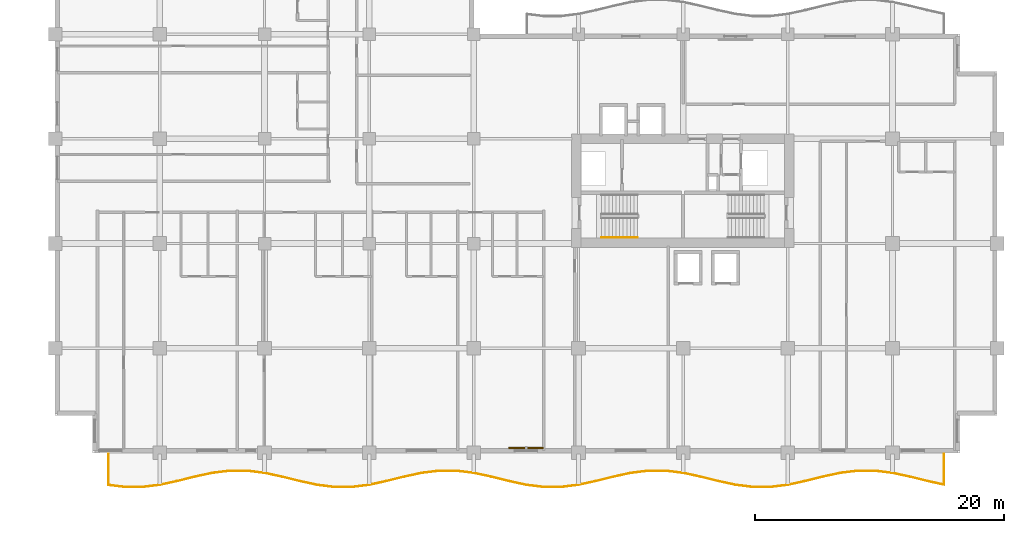
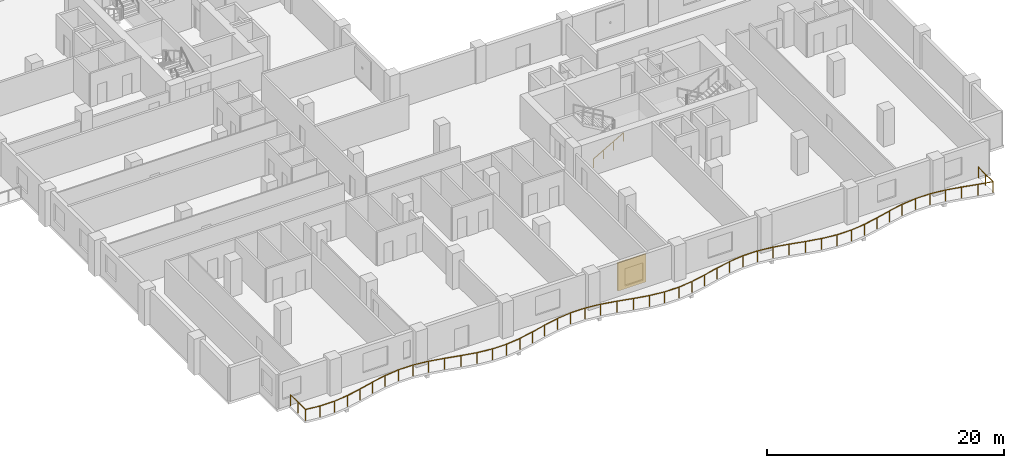
# One storey, part 13 of 16: 2 railings, 1 shading device.
"""IFC4 building model written with IfcOpenShell, lengths in metres."""

from ifc_helpers import new_model, si_unit, direction, frame, origin, origin_2d, place, context, subcontext, project, spatial, rectangle, circle, extrude, material, layer, layer_set, type_object, element, save


model = new_model("IFC4")

# Units and contexts
model_context = context("Model", 3, precision=1e-05, world=origin(), true_north=direction((0.0, 1.0)))
body_context = subcontext(model_context, "Body", "Model", "MODEL_VIEW")
ifc_project = project(units=[si_unit("LENGTHUNIT", "METRE"), si_unit("AREAUNIT", "SQUARE_METRE"), si_unit("VOLUMEUNIT", "CUBIC_METRE"), si_unit("PLANEANGLEUNIT", "RADIAN"), si_unit("MASSUNIT", "GRAM", prefix="KILO")], contexts=[model_context])

# Site, building, storey
site_placement = place(None, origin())
site = spatial("IfcSite", under=ifc_project, at=site_placement, CompositionType="ELEMENT")
building_placement = place(site_placement, origin())
building = spatial("IfcBuilding", under=site, at=building_placement, Name="Koriwani Terraces Tower", CompositionType="ELEMENT")
storey_placement = place(building_placement, frame((0.0, 0.0, 179.10009765625)))
storey = spatial("IfcBuildingStorey", under=building, at=storey_placement, Name="L43", CompositionType="ELEMENT", Elevation=179.10009765625)

# Railings
ifc_material_1 = material(Name="Steel ASTM A572 Grade 50", Category="steel")
railing_type_1 = type_object("IfcRailingType", Name="GUARD_BALUSTRADE_1150", PredefinedType="BALUSTRADE", material=ifc_material_1)
railing_1_placement = place(storey_placement, frame((4.280029296875, -0.080078125, 0.0)))
element("IfcRailing", 1, at=railing_1_placement, inside=storey, type_object=railing_type_1, Name="L43 Balcony Perimeter Safety Balustrade (S)", PredefinedType="BALUSTRADE", context=body_context, shape_type="SweptSolid", body=[
    extrude(circle(Radius=0.02392578125, at=origin_2d()), frame((0.0, 0.0, 1.1259765625), z_axis=(0.0, -1.0, 0.0), x_axis=(1.0, 0.0, 0.0)), (0.0, 0.0, 1.0), 2.501708984375),
    extrude(circle(Radius=0.02392578125, at=origin_2d()), frame((0.0, -2.501708984375, 1.1259765625), z_axis=(0.992308789115, -0.123787184491, 0.0), x_axis=(0.123787184491, 0.992308789115, 0.0)), (0.0, 0.0, 1.0), 1.335205078125),
    extrude(circle(Radius=0.02392578125, at=origin_2d()), frame((1.324951171875, -2.6669921875, 1.1259765625), z_axis=(1.0, 0.0, 0.0), x_axis=(0.0, 1.0, 0.0)), (0.0, 0.0, 1.0), 1.39013671875),
    extrude(circle(Radius=0.02392578125, at=origin_2d()), frame((2.715087890625, -2.6669921875, 1.1259765625), z_axis=(0.992309982997, 0.123777613669, 0.0), x_axis=(-0.123777613669, 0.992309982997, 0.0)), (0.0, 0.0, 1.0), 1.40234375),
    extrude(circle(Radius=0.02392578125, at=origin_2d()), frame((4.106689453125, -2.493408203125, 1.1259765625), z_axis=(0.977402706702, 0.211385782237, 0.0), x_axis=(-0.211385782237, 0.977402706702, 0.0)), (0.0, 0.0, 1.0), 1.427490234375),
    extrude(circle(Radius=0.02392578125, at=origin_2d()), frame((5.501953125, -2.191650390625, 1.1259765625), z_axis=(0.970241952903, 0.242137466795, 0.0), x_axis=(-0.242137466795, 0.970241952903, 0.0)), (0.0, 0.0, 1.0), 1.44287109375),
    extrude(circle(Radius=0.02392578125, at=origin_2d()), frame((6.90185546875, -1.84228515625, 1.1259765625), z_axis=(0.977453031353, 0.21115295759, 0.0), x_axis=(-0.21115295759, 0.977453031353, 0.0)), (0.0, 0.0, 1.0), 1.437255859375),
    extrude(circle(Radius=0.02392578125, at=origin_2d()), frame((8.306640625, -1.538818359375, 1.1259765625), z_axis=(0.992322798546, 0.123674829633, 0.0), x_axis=(-0.123674829633, 0.992322798546, 0.0)), (0.0, 0.0, 1.0), 1.41943359375),
    extrude(circle(Radius=0.02392578125, at=origin_2d()), frame((9.715087890625, -1.36328125, 1.1259765625), z_axis=(1.0, 0.0, 0.0), x_axis=(0.0, 1.0, 0.0)), (0.0, 0.0, 1.0), 1.409912109375),
    extrude(circle(Radius=0.02392578125, at=origin_2d()), frame((11.125, -1.36328125, 1.1259765625), z_axis=(0.992322798546, -0.123674829633, 0.0), x_axis=(0.123674829633, 0.992322798546, 0.0)), (0.0, 0.0, 1.0), 1.41943359375),
    extrude(circle(Radius=0.02392578125, at=origin_2d()), frame((12.533447265625, -1.538818359375, 1.1259765625), z_axis=(0.977445455552, -0.211188023857, 0.0), x_axis=(0.211188023857, 0.977445455552, 0.0)), (0.0, 0.0, 1.0), 1.43701171875),
    extrude(circle(Radius=0.02392578125, at=origin_2d()), frame((13.93798828125, -1.84228515625, 1.1259765625), z_axis=(0.970251871253, -0.242097720621, 0.0), x_axis=(0.242097720621, 0.970251871253, 0.0)), (0.0, 0.0, 1.0), 1.443115234375),
    extrude(circle(Radius=0.02392578125, at=origin_2d()), frame((15.338134765625, -2.191650390625, 1.1259765625), z_axis=(0.977402706702, -0.211385782237, 0.0), x_axis=(0.211385782237, 0.977402706702, 0.0)), (0.0, 0.0, 1.0), 1.427490234375),
    extrude(circle(Radius=0.02392578125, at=origin_2d()), frame((16.7333984375, -2.493408203125, 1.1259765625), z_axis=(0.992309982997, -0.123777613669, 0.0), x_axis=(0.123777613669, 0.992309982997, 0.0)), (0.0, 0.0, 1.0), 1.40234375),
    extrude(circle(Radius=0.02392578125, at=origin_2d()), frame((18.125, -2.6669921875, 1.1259765625), z_axis=(1.0, 0.0, 0.0), x_axis=(0.0, 1.0, 0.0)), (0.0, 0.0, 1.0), 1.389892578125),
    extrude(circle(Radius=0.02392578125, at=origin_2d()), frame((19.514892578125, -2.6669921875, 1.1259765625), z_axis=(0.992309982997, 0.123777613669, 0.0), x_axis=(-0.123777613669, 0.992309982997, 0.0)), (0.0, 0.0, 1.0), 1.40234375),
    extrude(circle(Radius=0.02392578125, at=origin_2d()), frame((20.906494140625, -2.493408203125, 1.1259765625), z_axis=(0.977402706702, 0.211385782237, 0.0), x_axis=(-0.211385782237, 0.977402706702, 0.0)), (0.0, 0.0, 1.0), 1.427490234375),
    extrude(circle(Radius=0.02392578125, at=origin_2d()), frame((22.3017578125, -2.191650390625, 1.1259765625), z_axis=(0.970251871253, 0.242097720621, 0.0), x_axis=(-0.242097720621, 0.970251871253, 0.0)), (0.0, 0.0, 1.0), 1.443115234375),
    extrude(circle(Radius=0.02392578125, at=origin_2d()), frame((23.701904296875, -1.84228515625, 1.1259765625), z_axis=(0.977453031353, 0.21115295759, 0.0), x_axis=(-0.21115295759, 0.977453031353, 0.0)), (0.0, 0.0, 1.0), 1.437255859375),
    extrude(circle(Radius=0.02392578125, at=origin_2d()), frame((25.106689453125, -1.538818359375, 1.1259765625), z_axis=(0.992320166908, 0.123695943136, 0.0), x_axis=(-0.123695943136, 0.992320166908, 0.0)), (0.0, 0.0, 1.0), 1.419189453125),
    extrude(circle(Radius=0.02392578125, at=origin_2d()), frame((26.514892578125, -1.36328125, 1.1259765625), z_axis=(1.0, 0.0, 0.0), x_axis=(0.0, 1.0, 0.0)), (0.0, 0.0, 1.0), 1.41015625),
    extrude(circle(Radius=0.02392578125, at=origin_2d()), frame((27.925048828125, -1.36328125, 1.1259765625), z_axis=(0.992320166908, -0.123695943136, 0.0), x_axis=(0.123695943136, 0.992320166908, 0.0)), (0.0, 0.0, 1.0), 1.419189453125),
    extrude(circle(Radius=0.02392578125, at=origin_2d()), frame((29.333251953125, -1.538818359375, 1.1259765625), z_axis=(0.977453031353, -0.21115295759, 0.0), x_axis=(0.21115295759, 0.977453031353, 0.0)), (0.0, 0.0, 1.0), 1.437255859375),
    extrude(circle(Radius=0.02392578125, at=origin_2d()), frame((30.738037109375, -1.84228515625, 1.1259765625), z_axis=(0.970251871253, -0.242097720621, 0.0), x_axis=(0.242097720621, 0.970251871253, 0.0)), (0.0, 0.0, 1.0), 1.443115234375),
    extrude(circle(Radius=0.02392578125, at=origin_2d()), frame((32.13818359375, -2.191650390625, 1.1259765625), z_axis=(0.977402706702, -0.211385782237, 0.0), x_axis=(0.211385782237, 0.977402706702, 0.0)), (0.0, 0.0, 1.0), 1.427490234375),
    extrude(circle(Radius=0.02392578125, at=origin_2d()), frame((33.533447265625, -2.493408203125, 1.1259765625), z_axis=(0.992309982997, -0.123777613669, 0.0), x_axis=(0.123777613669, 0.992309982997, 0.0)), (0.0, 0.0, 1.0), 1.40234375),
    extrude(circle(Radius=0.02392578125, at=origin_2d()), frame((34.925048828125, -2.6669921875, 1.1259765625), z_axis=(1.0, 0.0, 0.0), x_axis=(0.0, 1.0, 0.0)), (0.0, 0.0, 1.0), 1.389892578125),
    extrude(circle(Radius=0.02392578125, at=origin_2d()), frame((36.31494140625, -2.6669921875, 1.1259765625), z_axis=(0.992309982997, 0.123777613669, 0.0), x_axis=(-0.123777613669, 0.992309982997, 0.0)), (0.0, 0.0, 1.0), 1.40234375),
    extrude(circle(Radius=0.02392578125, at=origin_2d()), frame((37.70654296875, -2.493408203125, 1.1259765625), z_axis=(0.977402706702, 0.211385782237, 0.0), x_axis=(-0.211385782237, 0.977402706702, 0.0)), (0.0, 0.0, 1.0), 1.427490234375),
    extrude(circle(Radius=0.02392578125, at=origin_2d()), frame((39.101806640625, -2.191650390625, 1.1259765625), z_axis=(0.970251871253, 0.242097720621, 0.0), x_axis=(-0.242097720621, 0.970251871253, 0.0)), (0.0, 0.0, 1.0), 1.443115234375),
    extrude(circle(Radius=0.02392578125, at=origin_2d()), frame((40.501953125, -1.84228515625, 1.1259765625), z_axis=(0.977445455552, 0.211188023857, 0.0), x_axis=(-0.211188023857, 0.977445455552, 0.0)), (0.0, 0.0, 1.0), 1.43701171875),
    extrude(circle(Radius=0.02392578125, at=origin_2d()), frame((41.906494140625, -1.538818359375, 1.1259765625), z_axis=(0.992322798546, 0.123674829633, 0.0), x_axis=(-0.123674829633, 0.992322798546, 0.0)), (0.0, 0.0, 1.0), 1.41943359375),
    extrude(circle(Radius=0.02392578125, at=origin_2d()), frame((43.31494140625, -1.36328125, 1.1259765625), z_axis=(1.0, 0.0, 0.0), x_axis=(0.0, 1.0, 0.0)), (0.0, 0.0, 1.0), 1.409912109375),
    extrude(circle(Radius=0.02392578125, at=origin_2d()), frame((44.724853515625, -1.36328125, 1.1259765625), z_axis=(0.992322798546, -0.123674829633, 0.0), x_axis=(0.123674829633, 0.992322798546, 0.0)), (0.0, 0.0, 1.0), 1.41943359375),
    extrude(circle(Radius=0.02392578125, at=origin_2d()), frame((46.13330078125, -1.538818359375, 1.1259765625), z_axis=(0.977453031353, -0.21115295759, 0.0), x_axis=(0.21115295759, 0.977453031353, 0.0)), (0.0, 0.0, 1.0), 1.437255859375),
    extrude(circle(Radius=0.02392578125, at=origin_2d()), frame((47.5380859375, -1.84228515625, 1.1259765625), z_axis=(0.970241952903, -0.242137466795, 0.0), x_axis=(0.242137466795, 0.970241952903, 0.0)), (0.0, 0.0, 1.0), 1.44287109375),
    extrude(circle(Radius=0.02392578125, at=origin_2d()), frame((48.93798828125, -2.191650390625, 1.1259765625), z_axis=(0.977402706702, -0.211385782237, 0.0), x_axis=(0.211385782237, 0.977402706702, 0.0)), (0.0, 0.0, 1.0), 1.427490234375),
    extrude(circle(Radius=0.02392578125, at=origin_2d()), frame((50.333251953125, -2.493408203125, 1.1259765625), z_axis=(0.992309982997, -0.123777613669, 0.0), x_axis=(0.123777613669, 0.992309982997, 0.0)), (0.0, 0.0, 1.0), 1.40234375),
    extrude(circle(Radius=0.02392578125, at=origin_2d()), frame((51.724853515625, -2.6669921875, 1.1259765625), z_axis=(1.0, 0.0, 0.0), x_axis=(0.0, 1.0, 0.0)), (0.0, 0.0, 1.0), 1.39013671875),
    extrude(circle(Radius=0.02392578125, at=origin_2d()), frame((53.114990234375, -2.6669921875, 1.1259765625), z_axis=(0.992309982997, 0.123777613669, 0.0), x_axis=(-0.123777613669, 0.992309982997, 0.0)), (0.0, 0.0, 1.0), 1.40234375),
    extrude(circle(Radius=0.02392578125, at=origin_2d()), frame((54.506591796875, -2.493408203125, 1.1259765625), z_axis=(0.977402706702, 0.211385782237, 0.0), x_axis=(-0.211385782237, 0.977402706702, 0.0)), (0.0, 0.0, 1.0), 1.427490234375),
    extrude(circle(Radius=0.02392578125, at=origin_2d()), frame((55.90185546875, -2.191650390625, 1.1259765625), z_axis=(0.970241952903, 0.242137466795, 0.0), x_axis=(-0.242137466795, 0.970241952903, 0.0)), (0.0, 0.0, 1.0), 1.44287109375),
    extrude(circle(Radius=0.02392578125, at=origin_2d()), frame((57.3017578125, -1.84228515625, 1.1259765625), z_axis=(0.977453031353, 0.21115295759, 0.0), x_axis=(-0.21115295759, 0.977453031353, 0.0)), (0.0, 0.0, 1.0), 1.437255859375),
    extrude(circle(Radius=0.02392578125, at=origin_2d()), frame((58.70654296875, -1.538818359375, 1.1259765625), z_axis=(0.992322798546, 0.123674829633, 0.0), x_axis=(-0.123674829633, 0.992322798546, 0.0)), (0.0, 0.0, 1.0), 1.41943359375),
    extrude(circle(Radius=0.02392578125, at=origin_2d()), frame((60.114990234375, -1.36328125, 1.1259765625), z_axis=(1.0, 0.0, 0.0), x_axis=(0.0, 1.0, 0.0)), (0.0, 0.0, 1.0), 1.409912109375),
    extrude(circle(Radius=0.02392578125, at=origin_2d()), frame((61.52490234375, -1.36328125, 1.1259765625), z_axis=(0.992322798546, -0.123674829633, 0.0), x_axis=(0.123674829633, 0.992322798546, 0.0)), (0.0, 0.0, 1.0), 1.41943359375),
    extrude(circle(Radius=0.02392578125, at=origin_2d()), frame((62.933349609375, -1.538818359375, 1.1259765625), z_axis=(0.977453031353, -0.21115295759, 0.0), x_axis=(0.21115295759, 0.977453031353, 0.0)), (0.0, 0.0, 1.0), 1.437255859375),
    extrude(circle(Radius=0.02392578125, at=origin_2d()), frame((64.338134765625, -1.84228515625, 1.1259765625), z_axis=(0.970241952903, -0.242137466795, 0.0), x_axis=(0.242137466795, 0.970241952903, 0.0)), (0.0, 0.0, 1.0), 1.44287109375),
    extrude(circle(Radius=0.02392578125, at=origin_2d()), frame((65.738037109375, -2.191650390625, 1.1259765625), z_axis=(0.977417234878, -0.211318595877, 0.0), x_axis=(0.211318595877, 0.977417234878, 0.0)), (0.0, 0.0, 1.0), 1.33203125),
    extrude(circle(Radius=0.02392578125, at=origin_2d()), frame((67.0400390625, -2.47314453125, 1.1259765625), z_axis=(0.0, 1.0, 0.0), x_axis=(-1.0, 0.0, 0.0)), (0.0, 0.0, 1.0), 2.47314453125),
    extrude(circle(Radius=0.02099609375, at=origin_2d()), origin(), (0.0, 0.0, 1.0), 1.101806640625),
    extrude(circle(Radius=0.02099609375, at=origin_2d()), frame((0.0, -1.2509765625, 0.0)), (0.0, 0.0, 1.0), 1.101806640625),
    extrude(circle(Radius=0.02099609375, at=origin_2d()), frame((0.0, -2.501708984375, 0.0)), (0.0, 0.0, 1.0), 1.101806640625),
    extrude(circle(Radius=0.02099609375, at=origin_2d()), frame((1.324951171875, -2.6669921875, 0.0)), (0.0, 0.0, 1.0), 1.101806640625),
    extrude(circle(Radius=0.02099609375, at=origin_2d()), frame((2.715087890625, -2.6669921875, 0.0)), (0.0, 0.0, 1.0), 1.101806640625),
    extrude(circle(Radius=0.02099609375, at=origin_2d()), frame((4.106689453125, -2.493408203125, 0.0)), (0.0, 0.0, 1.0), 1.101806640625),
    extrude(circle(Radius=0.02099609375, at=origin_2d()), frame((5.501953125, -2.191650390625, 0.0)), (0.0, 0.0, 1.0), 1.101806640625),
    extrude(circle(Radius=0.02099609375, at=origin_2d()), frame((6.90185546875, -1.84228515625, 0.0)), (0.0, 0.0, 1.0), 1.101806640625),
    extrude(circle(Radius=0.02099609375, at=origin_2d()), frame((8.306640625, -1.538818359375, 0.0)), (0.0, 0.0, 1.0), 1.101806640625),
    extrude(circle(Radius=0.02099609375, at=origin_2d()), frame((9.715087890625, -1.36328125, 0.0)), (0.0, 0.0, 1.0), 1.101806640625),
    extrude(circle(Radius=0.02099609375, at=origin_2d()), frame((11.125, -1.36328125, 0.0)), (0.0, 0.0, 1.0), 1.101806640625),
    extrude(circle(Radius=0.02099609375, at=origin_2d()), frame((12.533447265625, -1.538818359375, 0.0)), (0.0, 0.0, 1.0), 1.101806640625),
    extrude(circle(Radius=0.02099609375, at=origin_2d()), frame((13.93798828125, -1.84228515625, 0.0)), (0.0, 0.0, 1.0), 1.101806640625),
    extrude(circle(Radius=0.02099609375, at=origin_2d()), frame((15.338134765625, -2.191650390625, 0.0)), (0.0, 0.0, 1.0), 1.101806640625),
    extrude(circle(Radius=0.02099609375, at=origin_2d()), frame((16.7333984375, -2.493408203125, 0.0)), (0.0, 0.0, 1.0), 1.101806640625),
    extrude(circle(Radius=0.02099609375, at=origin_2d()), frame((18.125, -2.6669921875, 0.0)), (0.0, 0.0, 1.0), 1.101806640625),
    extrude(circle(Radius=0.02099609375, at=origin_2d()), frame((19.514892578125, -2.6669921875, 0.0)), (0.0, 0.0, 1.0), 1.101806640625),
    extrude(circle(Radius=0.02099609375, at=origin_2d()), frame((20.906494140625, -2.493408203125, 0.0)), (0.0, 0.0, 1.0), 1.101806640625),
    extrude(circle(Radius=0.02099609375, at=origin_2d()), frame((22.3017578125, -2.191650390625, 0.0)), (0.0, 0.0, 1.0), 1.101806640625),
    extrude(circle(Radius=0.02099609375, at=origin_2d()), frame((23.701904296875, -1.84228515625, 0.0)), (0.0, 0.0, 1.0), 1.101806640625),
    extrude(circle(Radius=0.02099609375, at=origin_2d()), frame((25.106689453125, -1.538818359375, 0.0)), (0.0, 0.0, 1.0), 1.101806640625),
    extrude(circle(Radius=0.02099609375, at=origin_2d()), frame((26.514892578125, -1.36328125, 0.0)), (0.0, 0.0, 1.0), 1.101806640625),
    extrude(circle(Radius=0.02099609375, at=origin_2d()), frame((27.925048828125, -1.36328125, 0.0)), (0.0, 0.0, 1.0), 1.101806640625),
    extrude(circle(Radius=0.02099609375, at=origin_2d()), frame((29.333251953125, -1.538818359375, 0.0)), (0.0, 0.0, 1.0), 1.101806640625),
    extrude(circle(Radius=0.02099609375, at=origin_2d()), frame((30.738037109375, -1.84228515625, 0.0)), (0.0, 0.0, 1.0), 1.101806640625),
    extrude(circle(Radius=0.02099609375, at=origin_2d()), frame((32.13818359375, -2.191650390625, 0.0)), (0.0, 0.0, 1.0), 1.101806640625),
    extrude(circle(Radius=0.02099609375, at=origin_2d()), frame((33.533447265625, -2.493408203125, 0.0)), (0.0, 0.0, 1.0), 1.101806640625),
    extrude(circle(Radius=0.02099609375, at=origin_2d()), frame((34.925048828125, -2.6669921875, 0.0)), (0.0, 0.0, 1.0), 1.101806640625),
    extrude(circle(Radius=0.02099609375, at=origin_2d()), frame((36.31494140625, -2.6669921875, 0.0)), (0.0, 0.0, 1.0), 1.101806640625),
    extrude(circle(Radius=0.02099609375, at=origin_2d()), frame((37.70654296875, -2.493408203125, 0.0)), (0.0, 0.0, 1.0), 1.101806640625),
    extrude(circle(Radius=0.02099609375, at=origin_2d()), frame((39.101806640625, -2.191650390625, 0.0)), (0.0, 0.0, 1.0), 1.101806640625),
    extrude(circle(Radius=0.02099609375, at=origin_2d()), frame((40.501953125, -1.84228515625, 0.0)), (0.0, 0.0, 1.0), 1.101806640625),
    extrude(circle(Radius=0.02099609375, at=origin_2d()), frame((41.906494140625, -1.538818359375, 0.0)), (0.0, 0.0, 1.0), 1.101806640625),
    extrude(circle(Radius=0.02099609375, at=origin_2d()), frame((43.31494140625, -1.36328125, 0.0)), (0.0, 0.0, 1.0), 1.101806640625),
    extrude(circle(Radius=0.02099609375, at=origin_2d()), frame((44.724853515625, -1.36328125, 0.0)), (0.0, 0.0, 1.0), 1.101806640625),
    extrude(circle(Radius=0.02099609375, at=origin_2d()), frame((46.13330078125, -1.538818359375, 0.0)), (0.0, 0.0, 1.0), 1.101806640625),
    extrude(circle(Radius=0.02099609375, at=origin_2d()), frame((47.5380859375, -1.84228515625, 0.0)), (0.0, 0.0, 1.0), 1.101806640625),
    extrude(circle(Radius=0.02099609375, at=origin_2d()), frame((48.93798828125, -2.191650390625, 0.0)), (0.0, 0.0, 1.0), 1.101806640625),
    extrude(circle(Radius=0.02099609375, at=origin_2d()), frame((50.333251953125, -2.493408203125, 0.0)), (0.0, 0.0, 1.0), 1.101806640625),
    extrude(circle(Radius=0.02099609375, at=origin_2d()), frame((51.724853515625, -2.6669921875, 0.0)), (0.0, 0.0, 1.0), 1.101806640625),
    extrude(circle(Radius=0.02099609375, at=origin_2d()), frame((53.114990234375, -2.6669921875, 0.0)), (0.0, 0.0, 1.0), 1.101806640625),
    extrude(circle(Radius=0.02099609375, at=origin_2d()), frame((54.506591796875, -2.493408203125, 0.0)), (0.0, 0.0, 1.0), 1.101806640625),
    extrude(circle(Radius=0.02099609375, at=origin_2d()), frame((55.90185546875, -2.191650390625, 0.0)), (0.0, 0.0, 1.0), 1.101806640625),
    extrude(circle(Radius=0.02099609375, at=origin_2d()), frame((57.3017578125, -1.84228515625, 0.0)), (0.0, 0.0, 1.0), 1.101806640625),
    extrude(circle(Radius=0.02099609375, at=origin_2d()), frame((58.70654296875, -1.538818359375, 0.0)), (0.0, 0.0, 1.0), 1.101806640625),
    extrude(circle(Radius=0.02099609375, at=origin_2d()), frame((60.114990234375, -1.36328125, 0.0)), (0.0, 0.0, 1.0), 1.101806640625),
    extrude(circle(Radius=0.02099609375, at=origin_2d()), frame((61.52490234375, -1.36328125, 0.0)), (0.0, 0.0, 1.0), 1.101806640625),
    extrude(circle(Radius=0.02099609375, at=origin_2d()), frame((62.933349609375, -1.538818359375, 0.0)), (0.0, 0.0, 1.0), 1.101806640625),
    extrude(circle(Radius=0.02099609375, at=origin_2d()), frame((64.338134765625, -1.84228515625, 0.0)), (0.0, 0.0, 1.0), 1.101806640625),
    extrude(circle(Radius=0.02099609375, at=origin_2d()), frame((65.738037109375, -2.191650390625, 0.0)), (0.0, 0.0, 1.0), 1.101806640625),
    extrude(circle(Radius=0.02099609375, at=origin_2d()), frame((67.0400390625, -2.47314453125, 0.0)), (0.0, 0.0, 1.0), 1.101806640625),
    extrude(circle(Radius=0.02099609375, at=origin_2d()), frame((67.0400390625, -1.236572265625, 0.0)), (0.0, 0.0, 1.0), 1.101806640625),
    extrude(circle(Radius=0.02099609375, at=origin_2d()), frame((67.0400390625, 0.0, 0.0)), (0.0, 0.0, 1.0), 1.101806640625),
])
railing_type_2 = type_object("IfcRailingType", Name="HANDRAIL_STAIR_920", PredefinedType="HANDRAIL", material=ifc_material_1)
railing_2_placement = place(storey_placement, frame((43.85009765625, 17.300048828125, 0.16796875)))
element("IfcRailing", 2, at=railing_2_placement, inside=storey, type_object=railing_type_2, Name="L43 ST-E1 stair handrail 1", PredefinedType="HANDRAIL", context=body_context, shape_type="SweptSolid", body=[
    extrude(circle(Radius=0.02392578125, at=origin_2d()), frame((0.0, 0.0, 0.8759765625), z_axis=(0.865038774852, 0.0, 0.501705010941), x_axis=(0.0, 1.0, 0.0)), (0.0, 0.0, 1.0), 3.352294921875),
    extrude(circle(Radius=0.02099609375, at=origin_2d()), origin(), (0.0, 0.0, 1.0), 0.851806640625),
    extrude(circle(Radius=0.02099609375, at=origin_2d()), frame((0.966552734375, 0.0, 0.560546875)), (0.0, 0.0, 1.0), 0.851806640625),
    extrude(circle(Radius=0.02099609375, at=origin_2d()), frame((1.933349609375, 0.0, 1.121337890625)), (0.0, 0.0, 1.0), 0.851806640625),
    extrude(circle(Radius=0.02099609375, at=origin_2d()), frame((2.89990234375, 0.0, 1.681884765625)), (0.0, 0.0, 1.0), 0.851806640625),
])

# Shading device
ifc_material_2 = material(Name="Extruded Terracotta Clay", Category="masonry")
ifc_layer = layer(ifc_material_2, 0.1201171875, Name="Extruded Terracotta Clay")
ifc_layer_set = layer_set([ifc_layer], Name="Extruded Terracotta Clay")
shading_device_type = type_object("IfcShadingDeviceType", Name="TERRACOTTA_BAGUETTE_SCREEN_2800", PredefinedType="USERDEFINED", material=ifc_layer_set)
shading_device_placement = place(storey_placement, frame((37.800048828125, 0.405029296875, 0.284912109375), z_axis=(0.0, 0.0, 1.0), x_axis=(-1.0, 0.0, 0.0)))
element("IfcShadingDevice", 3, at=shading_device_placement, inside=storey, type_object=shading_device_type, Name="L43 Extruded Terracotta Baguette Screen (S-12)", ObjectType="BAGUETTE", PredefinedType="USERDEFINED", context=body_context, shape_type="SweptSolid", body=[
    extrude(rectangle(XDim=2.760009765625, YDim=0.1201171875, at=origin_2d()), origin(), (0.0, 0.0, 1.0), 2.89990234375),
])

save(model, "model.ifc")
